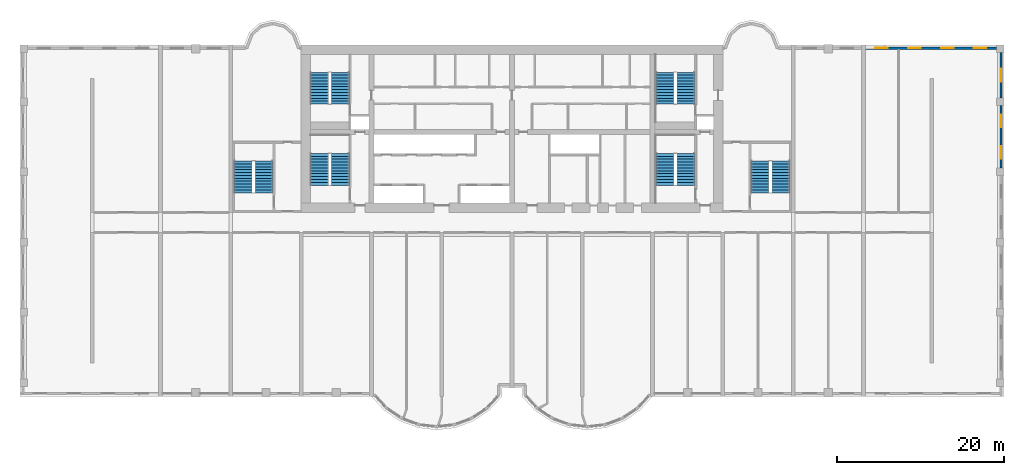
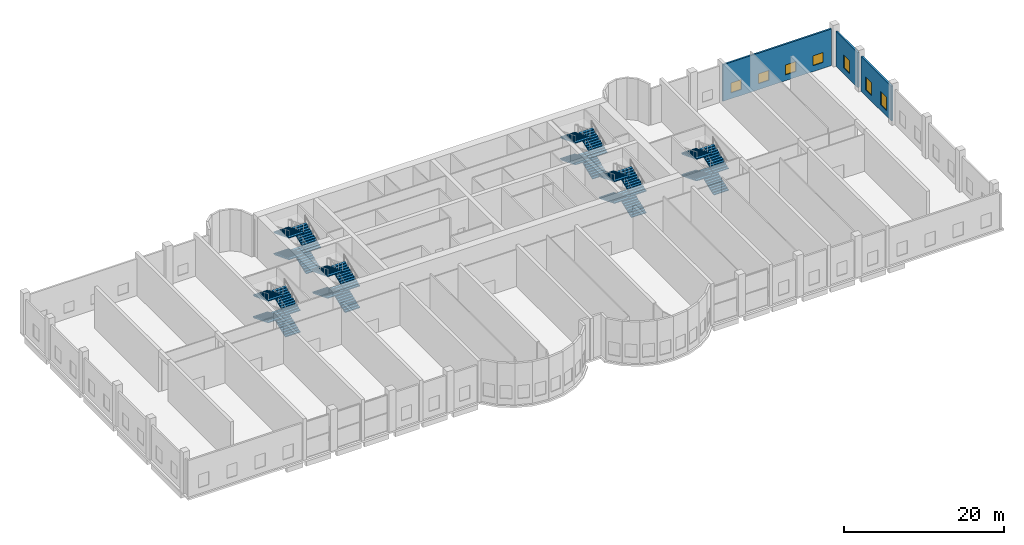
# One storey, part 14 of 15: 24 stair flights, 7 windows, 3 walls, 7 openings, 6 elements without a shape of their own.
"""IFC4 building model written with IfcOpenShell, lengths in metres."""

from ifc_helpers import new_model, si_unit, direction, frame, frame_2d, origin, place, context, subcontext, project, spatial, polyline, rectangle, outline, extrude, source, transform, mapped, material, layer, layer_set, type_object, element, fill, aggregate, save


model = new_model("IFC4")

# Units and contexts
model_context = context("Model", 3, precision=1e-05, world=origin(), true_north=direction((0.0, 1.0)))
body_context = subcontext(model_context, "Body", "Model", "MODEL_VIEW")
ifc_project = project(units=[si_unit("LENGTHUNIT", "METRE"), si_unit("AREAUNIT", "SQUARE_METRE"), si_unit("VOLUMEUNIT", "CUBIC_METRE"), si_unit("PLANEANGLEUNIT", "RADIAN"), si_unit("MASSUNIT", "GRAM", prefix="KILO")], contexts=[model_context])

# Site, building, storey
site_placement = place(None, origin())
site = spatial("IfcSite", under=ifc_project, at=site_placement, CompositionType="ELEMENT")
building_placement = place(site_placement, origin())
building = spatial("IfcBuilding", under=site, at=building_placement, Name="Vanashikhar Sky Hotel", CompositionType="ELEMENT")
storey_placement = place(building_placement, frame((0.0, 0.0, 11.39990234375)))
storey = spatial("IfcBuildingStorey", under=building, at=storey_placement, Name="L02", CompositionType="ELEMENT", Elevation=11.39990234375)

# Wall, openings, windows
ifc_material_1 = material(Name="Concrete M50", Category="concrete")
ifc_layer = layer(ifc_material_1, 0.25)
ifc_layer_set = layer_set([ifc_layer], Name="Rear and end board-marked wall 250")
wall_type = type_object("IfcWallType", Name="Rear and end board-marked wall 250", PredefinedType="SOLIDWALL", material=ifc_layer_set)
shared_shape_1 = source(origin(), body_context, "Body", "SweptSolid", [
    extrude(rectangle(XDim=7.5, YDim=0.25, at=frame_2d((3.75, 0.0))), origin(), (0.0, 0.0, 1.0), 5.320068359375),
])
wall_1_placement = place(storey_placement, frame((108.824951171875, 27.300048828125, 0.0), z_axis=(0.0, 0.0, 1.0), x_axis=(0.0, 1.0, 0.0)))
wall_1 = element("IfcWall", 1, at=wall_1_placement, inside=storey, type_object=wall_type, Name="Podium external wall", PredefinedType="SOLIDWALL", context=body_context, shape_type="MappedRepresentation", body=[
    mapped(shared_shape_1, transform((0.0, 0.0, 0.0), scale=1.0)),
])
shared_shape_2 = source(origin(), body_context, "Body", "SweptSolid", [
    extrude(rectangle(XDim=1.5, YDim=2.0, at=frame_2d((0.75, 1.0))), frame((0.0, 0.135009765625, 0.0), z_axis=(0.0, -1.0, 0.0), x_axis=(1.0, 0.0, 0.0)), (0.0, 0.0, 1.0), 0.27001953125),
])
opening_1_placement = place(wall_1_placement, frame((1.125, 0.0, 0.89990234375)))
opening_1 = element("IfcOpeningElement", 2, at=opening_1_placement, cuts=wall_1, Name="Opening WN-2", PredefinedType="OPENING", context=body_context, shape_type="MappedRepresentation", body=[
    mapped(shared_shape_2, transform((0.0, 0.0, 0.0), scale=1.0)),
])
opening_2_placement = place(wall_1_placement, frame((4.875, 0.0, 0.89990234375)))
opening_2 = element("IfcOpeningElement", 3, at=opening_2_placement, cuts=wall_1, Name="Opening WN-2", PredefinedType="OPENING", context=body_context, shape_type="MappedRepresentation", body=[
    mapped(shared_shape_2, transform((0.0, 0.0, 0.0), scale=1.0)),
])
ifc_material_2 = material(Name="Glass", Category="glass")
window_type_1 = type_object("IfcWindowType", Name="Lobe window 1500 x 2000", PartitioningType="SINGLE_PANEL", PredefinedType="WINDOW", material=ifc_material_2)
shared_shape_3 = source(origin(), body_context, "Body", "SweptSolid", [
    extrude(rectangle(XDim=1.5, YDim=2.0, at=frame_2d((0.75, 1.0))), frame((0.0, 0.030029296875, 0.0), z_axis=(0.0, -1.0, 0.0), x_axis=(1.0, 0.0, 0.0)), (0.0, 0.0, 1.0), 0.06005859375),
])
window_1_placement = place(opening_1_placement, origin())
window_1 = element("IfcWindow", 4, at=window_1_placement, inside=storey, type_object=window_type_1, Name="Window WN-2", OverallHeight=2.0, OverallWidth=1.5, PartitioningType="SINGLE_PANEL", PredefinedType="WINDOW", context=body_context, shape_type="MappedRepresentation", body=[
    mapped(shared_shape_3, transform((0.0, 0.0, 0.0), scale=1.0)),
])
fill(opening_1, window_1)
window_2_placement = place(opening_2_placement, origin())
window_2 = element("IfcWindow", 5, at=window_2_placement, inside=storey, type_object=window_type_1, Name="Window WN-2", OverallHeight=2.0, OverallWidth=1.5, PartitioningType="SINGLE_PANEL", PredefinedType="WINDOW", context=body_context, shape_type="MappedRepresentation", body=[
    mapped(shared_shape_3, transform((0.0, 0.0, 0.0), scale=1.0)),
])
fill(opening_2, window_2)

# Wall, opening, window
shared_shape_4 = source(origin(), body_context, "Body", "SweptSolid", [
    extrude(rectangle(XDim=5.400146484375, YDim=0.25, at=frame_2d((2.7001953125, 0.0))), origin(), (0.0, 0.0, 1.0), 5.320068359375),
])
wall_2_placement = place(storey_placement, frame((108.824951171875, 35.699951171875, 0.0), z_axis=(0.0, 0.0, 1.0), x_axis=(0.0, 1.0, 0.0)))
wall_2 = element("IfcWall", 6, at=wall_2_placement, inside=storey, type_object=wall_type, Name="Podium external wall", PredefinedType="SOLIDWALL", context=body_context, shape_type="MappedRepresentation", body=[
    mapped(shared_shape_4, transform((0.0, 0.0, 0.0), scale=1.0)),
])
opening_3_placement = place(wall_2_placement, frame((1.949951171875, 0.0, 0.89990234375)))
opening_3 = element("IfcOpeningElement", 7, at=opening_3_placement, cuts=wall_2, Name="Opening WN-2", PredefinedType="OPENING", context=body_context, shape_type="MappedRepresentation", body=[
    mapped(shared_shape_2, transform((0.0, 0.0, 0.0), scale=1.0)),
])
window_3_placement = place(opening_3_placement, origin())
window_3 = element("IfcWindow", 8, at=window_3_placement, inside=storey, type_object=window_type_1, Name="Window WN-2", OverallHeight=2.0, OverallWidth=1.5, PartitioningType="SINGLE_PANEL", PredefinedType="WINDOW", context=body_context, shape_type="MappedRepresentation", body=[
    mapped(shared_shape_3, transform((0.0, 0.0, 0.0), scale=1.0)),
])
fill(opening_3, window_3)

# Wall, openings, windows
shared_shape_5 = source(origin(), body_context, "Body", "SweptSolid", [
    extrude(rectangle(XDim=15.675048828125, YDim=0.25, at=frame_2d((7.83740234375, 0.0))), origin(), (0.0, 0.0, 1.0), 5.570068359375),
])
wall_3_placement = place(storey_placement, frame((108.300048828125, 41.625, 0.0), z_axis=(0.0, 0.0, 1.0), x_axis=(-1.0, 0.0, 0.0)))
wall_3 = element("IfcWall", 9, at=wall_3_placement, inside=storey, type_object=wall_type, Name="Podium external wall", PredefinedType="SOLIDWALL", context=body_context, shape_type="MappedRepresentation", body=[
    mapped(shared_shape_5, transform((0.0, 0.0, 0.0), scale=1.0)),
])
shared_shape_6 = source(origin(), body_context, "Body", "SweptSolid", [
    extrude(rectangle(XDim=1.5, YDim=1.5, at=frame_2d((0.75, 0.75))), frame((0.0, 0.135009765625, 0.0), z_axis=(0.0, -1.0, 0.0), x_axis=(1.0, 0.0, 0.0)), (0.0, 0.0, 1.0), 0.27001953125),
])
opening_4_placement = place(wall_3_placement, frame((1.20947265625, 0.0, 0.89990234375)))
opening_4 = element("IfcOpeningElement", 10, at=opening_4_placement, cuts=wall_3, Name="Opening WN-1", PredefinedType="OPENING", context=body_context, shape_type="MappedRepresentation", body=[
    mapped(shared_shape_6, transform((0.0, 0.0, 0.0), scale=1.0)),
])
opening_5_placement = place(wall_3_placement, frame((5.128173828125, 0.0, 0.89990234375)))
opening_5 = element("IfcOpeningElement", 11, at=opening_5_placement, cuts=wall_3, Name="Opening WN-1", PredefinedType="OPENING", context=body_context, shape_type="MappedRepresentation", body=[
    mapped(shared_shape_6, transform((0.0, 0.0, 0.0), scale=1.0)),
])
opening_6_placement = place(wall_3_placement, frame((9.046875, 0.0, 0.89990234375)))
opening_6 = element("IfcOpeningElement", 12, at=opening_6_placement, cuts=wall_3, Name="Opening WN-1", PredefinedType="OPENING", context=body_context, shape_type="MappedRepresentation", body=[
    mapped(shared_shape_6, transform((0.0, 0.0, 0.0), scale=1.0)),
])
opening_7_placement = place(wall_3_placement, frame((12.965576171875, 0.0, 0.89990234375)))
opening_7 = element("IfcOpeningElement", 13, at=opening_7_placement, cuts=wall_3, Name="Opening WN-1", PredefinedType="OPENING", context=body_context, shape_type="MappedRepresentation", body=[
    mapped(shared_shape_6, transform((0.0, 0.0, 0.0), scale=1.0)),
])
window_type_2 = type_object("IfcWindowType", Name="Window 1500 x 1500", PartitioningType="SINGLE_PANEL", PredefinedType="WINDOW", material=ifc_material_2)
shared_shape_7 = source(origin(), body_context, "Body", "SweptSolid", [
    extrude(rectangle(XDim=1.5, YDim=1.5, at=frame_2d((0.75, 0.75))), frame((0.0, 0.030029296875, 0.0), z_axis=(0.0, -1.0, 0.0), x_axis=(1.0, 0.0, 0.0)), (0.0, 0.0, 1.0), 0.06005859375),
])
window_4_placement = place(opening_4_placement, origin())
window_4 = element("IfcWindow", 14, at=window_4_placement, inside=storey, type_object=window_type_2, Name="Window WN-1", OverallHeight=1.5, OverallWidth=1.5, PartitioningType="SINGLE_PANEL", PredefinedType="WINDOW", context=body_context, shape_type="MappedRepresentation", body=[
    mapped(shared_shape_7, transform((0.0, 0.0, 0.0), scale=1.0)),
])
fill(opening_4, window_4)
window_5_placement = place(opening_5_placement, origin())
window_5 = element("IfcWindow", 15, at=window_5_placement, inside=storey, type_object=window_type_2, Name="Window WN-1", OverallHeight=1.5, OverallWidth=1.5, PartitioningType="SINGLE_PANEL", PredefinedType="WINDOW", context=body_context, shape_type="MappedRepresentation", body=[
    mapped(shared_shape_7, transform((0.0, 0.0, 0.0), scale=1.0)),
])
fill(opening_5, window_5)
window_6_placement = place(opening_6_placement, origin())
window_6 = element("IfcWindow", 16, at=window_6_placement, inside=storey, type_object=window_type_2, Name="Window WN-1", OverallHeight=1.5, OverallWidth=1.5, PartitioningType="SINGLE_PANEL", PredefinedType="WINDOW", context=body_context, shape_type="MappedRepresentation", body=[
    mapped(shared_shape_7, transform((0.0, 0.0, 0.0), scale=1.0)),
])
fill(opening_6, window_6)
window_7_placement = place(opening_7_placement, origin())
window_7 = element("IfcWindow", 17, at=window_7_placement, inside=storey, type_object=window_type_2, Name="Window WN-1", OverallHeight=1.5, OverallWidth=1.5, PartitioningType="SINGLE_PANEL", PredefinedType="WINDOW", context=body_context, shape_type="MappedRepresentation", body=[
    mapped(shared_shape_7, transform((0.0, 0.0, 0.0), scale=1.0)),
])
fill(opening_7, window_7)

# Stair, stair flights
ifc_material_3 = material(Name="Concrete M40", Category="concrete")
stair_type = type_object("IfcStairType", Name="Exit stair 2150", PredefinedType="DOUBLE_RETURN_STAIR", material=ifc_material_3)
stair_1_placement = place(storey_placement, origin())
stair_1 = element("IfcStair", 18, at=stair_1_placement, inside=storey, type_object=stair_type, Name="L02 Exit stair 1", PredefinedType="DOUBLE_RETURN_STAIR")
stair_flight_type = type_object("IfcStairFlightType", Name="Stair flight 2150", PredefinedType="STRAIGHT", material=ifc_material_3)
shared_shape_8 = source(origin(), body_context, "Body", "SweptSolid", [
    extrude(outline(polyline([(0.0, 0.0), (0.0, 0.137451171875), (0.345458984375, 0.137451171875), (0.345458984375, 0.27490234375), (0.69091796875, 0.27490234375), (0.69091796875, 0.41259765625), (1.036376953125, 0.41259765625), (1.036376953125, 0.550048828125), (1.3818359375, 0.550048828125), (1.3818359375, 0.6875), (1.727294921875, 0.6875), (1.727294921875, 0.824951171875), (2.07275390625, 0.824951171875), (2.07275390625, 0.96240234375), (2.418212890625, 0.96240234375), (2.418212890625, 1.10009765625), (2.763671875, 1.10009765625), (2.763671875, 1.237548828125), (3.109130859375, 1.237548828125), (3.109130859375, 1.375), (3.45458984375, 1.375), (3.45458984375, 1.512451171875), (3.800048828125, 1.512451171875), (3.800048828125, 1.64990234375), (3.800048828125, 1.38330078125), (0.32470703125, 0.0), (0.0, 0.0)])), frame((0.0, 1.074951171875, 0.0), z_axis=(0.0, -1.0, 0.0), x_axis=(1.0, 0.0, 0.0)), (0.0, 0.0, 1.0), 2.14990234375),
])
stair_flight_1_placement = place(storey_placement, frame((29.875, 25.25, 0.0), z_axis=(0.0, 0.0, 1.0), x_axis=(0.0, 1.0, 0.0)))
stair_flight_1 = element("IfcStairFlight", 19, at=stair_flight_1_placement, type_object=stair_flight_type, Name="ST-C1 flight 1", NumberOfRisers=12, NumberOfTreads=11, PredefinedType="STRAIGHT", RiserHeight=0.1375, TreadLength=0.345454545, context=body_context, shape_type="MappedRepresentation", body=[
    mapped(shared_shape_8, transform((0.0, 0.0, 0.0), scale=1.0)),
])
stair_flight_2_placement = place(storey_placement, frame((27.375, 29.050048828125, 1.650146484375), z_axis=(0.0, 0.0, 1.0), x_axis=(0.0, -1.0, 0.0)))
stair_flight_2 = element("IfcStairFlight", 20, at=stair_flight_2_placement, type_object=stair_flight_type, Name="ST-C1 flight 2", NumberOfRisers=12, NumberOfTreads=11, PredefinedType="STRAIGHT", RiserHeight=0.1375, TreadLength=0.345454545, context=body_context, shape_type="MappedRepresentation", body=[
    mapped(shared_shape_8, transform((0.0, 0.0, 0.0), scale=1.0)),
])
stair_flight_3_placement = place(storey_placement, frame((29.875, 25.25, 3.300048828125), z_axis=(0.0, 0.0, 1.0), x_axis=(0.0, 1.0, 0.0)))
stair_flight_3 = element("IfcStairFlight", 21, at=stair_flight_3_placement, type_object=stair_flight_type, Name="ST-C1 flight 3", NumberOfRisers=12, NumberOfTreads=11, PredefinedType="STRAIGHT", RiserHeight=0.1375, TreadLength=0.345454545, context=body_context, shape_type="MappedRepresentation", body=[
    mapped(shared_shape_8, transform((0.0, 0.0, 0.0), scale=1.0)),
])
stair_flight_4_placement = place(storey_placement, frame((27.375, 29.050048828125, 4.9501953125), z_axis=(0.0, 0.0, 1.0), x_axis=(0.0, -1.0, 0.0)))
stair_flight_4 = element("IfcStairFlight", 22, at=stair_flight_4_placement, type_object=stair_flight_type, Name="ST-C1 flight 4", NumberOfRisers=12, NumberOfTreads=11, PredefinedType="STRAIGHT", RiserHeight=0.1375, TreadLength=0.345454545, context=body_context, shape_type="MappedRepresentation", body=[
    mapped(shared_shape_8, transform((0.0, 0.0, 0.0), scale=1.0)),
])
aggregate(stair_1, [stair_flight_1, stair_flight_2, stair_flight_3, stair_flight_4])

stair_2_placement = place(storey_placement, origin())
stair_2 = element("IfcStair", 23, at=stair_2_placement, inside=storey, type_object=stair_type, Name="L02 Exit stair 2", PredefinedType="DOUBLE_RETURN_STAIR")
stair_flight_5_placement = place(storey_placement, frame((71.175048828125, 25.25, 0.0), z_axis=(0.0, 0.0, 1.0), x_axis=(0.0, 1.0, 0.0)))
stair_flight_5 = element("IfcStairFlight", 24, at=stair_flight_5_placement, type_object=stair_flight_type, Name="ST-C2 flight 1", NumberOfRisers=12, NumberOfTreads=11, PredefinedType="STRAIGHT", RiserHeight=0.1375, TreadLength=0.345454545, context=body_context, shape_type="MappedRepresentation", body=[
    mapped(shared_shape_8, transform((0.0, 0.0, 0.0), scale=1.0)),
])
stair_flight_6_placement = place(storey_placement, frame((68.675048828125, 29.050048828125, 1.650146484375), z_axis=(0.0, 0.0, 1.0), x_axis=(0.0, -1.0, 0.0)))
stair_flight_6 = element("IfcStairFlight", 25, at=stair_flight_6_placement, type_object=stair_flight_type, Name="ST-C2 flight 2", NumberOfRisers=12, NumberOfTreads=11, PredefinedType="STRAIGHT", RiserHeight=0.1375, TreadLength=0.345454545, context=body_context, shape_type="MappedRepresentation", body=[
    mapped(shared_shape_8, transform((0.0, 0.0, 0.0), scale=1.0)),
])
stair_flight_7_placement = place(storey_placement, frame((71.175048828125, 25.25, 3.300048828125), z_axis=(0.0, 0.0, 1.0), x_axis=(0.0, 1.0, 0.0)))
stair_flight_7 = element("IfcStairFlight", 26, at=stair_flight_7_placement, type_object=stair_flight_type, Name="ST-C2 flight 3", NumberOfRisers=12, NumberOfTreads=11, PredefinedType="STRAIGHT", RiserHeight=0.1375, TreadLength=0.345454545, context=body_context, shape_type="MappedRepresentation", body=[
    mapped(shared_shape_8, transform((0.0, 0.0, 0.0), scale=1.0)),
])
stair_flight_8_placement = place(storey_placement, frame((68.675048828125, 29.050048828125, 4.9501953125), z_axis=(0.0, 0.0, 1.0), x_axis=(0.0, -1.0, 0.0)))
stair_flight_8 = element("IfcStairFlight", 27, at=stair_flight_8_placement, type_object=stair_flight_type, Name="ST-C2 flight 4", NumberOfRisers=12, NumberOfTreads=11, PredefinedType="STRAIGHT", RiserHeight=0.1375, TreadLength=0.345454545, context=body_context, shape_type="MappedRepresentation", body=[
    mapped(shared_shape_8, transform((0.0, 0.0, 0.0), scale=1.0)),
])
aggregate(stair_2, [stair_flight_5, stair_flight_6, stair_flight_7, stair_flight_8])

stair_3_placement = place(storey_placement, origin())
stair_3 = element("IfcStair", 28, at=stair_3_placement, inside=storey, type_object=stair_type, Name="L02 Exit stair 3", PredefinedType="DOUBLE_RETURN_STAIR")
stair_flight_9_placement = place(storey_placement, frame((20.77490234375, 24.35009765625, 0.0), z_axis=(0.0, 0.0, 1.0), x_axis=(0.0, 1.0, 0.0)))
stair_flight_9 = element("IfcStairFlight", 29, at=stair_flight_9_placement, type_object=stair_flight_type, Name="ST-W flight 1", NumberOfRisers=12, NumberOfTreads=11, PredefinedType="STRAIGHT", RiserHeight=0.1375, TreadLength=0.345454545, context=body_context, shape_type="MappedRepresentation", body=[
    mapped(shared_shape_8, transform((0.0, 0.0, 0.0), scale=1.0)),
])
stair_flight_10_placement = place(storey_placement, frame((18.27490234375, 28.14990234375, 1.650146484375), z_axis=(0.0, 0.0, 1.0), x_axis=(0.0, -1.0, 0.0)))
stair_flight_10 = element("IfcStairFlight", 30, at=stair_flight_10_placement, type_object=stair_flight_type, Name="ST-W flight 2", NumberOfRisers=12, NumberOfTreads=11, PredefinedType="STRAIGHT", RiserHeight=0.1375, TreadLength=0.345454545, context=body_context, shape_type="MappedRepresentation", body=[
    mapped(shared_shape_8, transform((0.0, 0.0, 0.0), scale=1.0)),
])
stair_flight_11_placement = place(storey_placement, frame((20.77490234375, 24.35009765625, 3.300048828125), z_axis=(0.0, 0.0, 1.0), x_axis=(0.0, 1.0, 0.0)))
stair_flight_11 = element("IfcStairFlight", 31, at=stair_flight_11_placement, type_object=stair_flight_type, Name="ST-W flight 3", NumberOfRisers=12, NumberOfTreads=11, PredefinedType="STRAIGHT", RiserHeight=0.1375, TreadLength=0.345454545, context=body_context, shape_type="MappedRepresentation", body=[
    mapped(shared_shape_8, transform((0.0, 0.0, 0.0), scale=1.0)),
])
stair_flight_12_placement = place(storey_placement, frame((18.27490234375, 28.14990234375, 4.9501953125), z_axis=(0.0, 0.0, 1.0), x_axis=(0.0, -1.0, 0.0)))
stair_flight_12 = element("IfcStairFlight", 32, at=stair_flight_12_placement, type_object=stair_flight_type, Name="ST-W flight 4", NumberOfRisers=12, NumberOfTreads=11, PredefinedType="STRAIGHT", RiserHeight=0.1375, TreadLength=0.345454545, context=body_context, shape_type="MappedRepresentation", body=[
    mapped(shared_shape_8, transform((0.0, 0.0, 0.0), scale=1.0)),
])
aggregate(stair_3, [stair_flight_9, stair_flight_10, stair_flight_11, stair_flight_12])

stair_4_placement = place(storey_placement, origin())
stair_4 = element("IfcStair", 33, at=stair_4_placement, inside=storey, type_object=stair_type, Name="L02 Exit stair 4", PredefinedType="DOUBLE_RETURN_STAIR")
stair_flight_13_placement = place(storey_placement, frame((82.52490234375, 24.35009765625, 0.0), z_axis=(0.0, 0.0, 1.0), x_axis=(0.0, 1.0, 0.0)))
stair_flight_13 = element("IfcStairFlight", 34, at=stair_flight_13_placement, type_object=stair_flight_type, Name="ST-E flight 1", NumberOfRisers=12, NumberOfTreads=11, PredefinedType="STRAIGHT", RiserHeight=0.1375, TreadLength=0.345454545, context=body_context, shape_type="MappedRepresentation", body=[
    mapped(shared_shape_8, transform((0.0, 0.0, 0.0), scale=1.0)),
])
stair_flight_14_placement = place(storey_placement, frame((80.02490234375, 28.14990234375, 1.650146484375), z_axis=(0.0, 0.0, 1.0), x_axis=(0.0, -1.0, 0.0)))
stair_flight_14 = element("IfcStairFlight", 35, at=stair_flight_14_placement, type_object=stair_flight_type, Name="ST-E flight 2", NumberOfRisers=12, NumberOfTreads=11, PredefinedType="STRAIGHT", RiserHeight=0.1375, TreadLength=0.345454545, context=body_context, shape_type="MappedRepresentation", body=[
    mapped(shared_shape_8, transform((0.0, 0.0, 0.0), scale=1.0)),
])
stair_flight_15_placement = place(storey_placement, frame((82.52490234375, 24.35009765625, 3.300048828125), z_axis=(0.0, 0.0, 1.0), x_axis=(0.0, 1.0, 0.0)))
stair_flight_15 = element("IfcStairFlight", 36, at=stair_flight_15_placement, type_object=stair_flight_type, Name="ST-E flight 3", NumberOfRisers=12, NumberOfTreads=11, PredefinedType="STRAIGHT", RiserHeight=0.1375, TreadLength=0.345454545, context=body_context, shape_type="MappedRepresentation", body=[
    mapped(shared_shape_8, transform((0.0, 0.0, 0.0), scale=1.0)),
])
stair_flight_16_placement = place(storey_placement, frame((80.02490234375, 28.14990234375, 4.9501953125), z_axis=(0.0, 0.0, 1.0), x_axis=(0.0, -1.0, 0.0)))
stair_flight_16 = element("IfcStairFlight", 37, at=stair_flight_16_placement, type_object=stair_flight_type, Name="ST-E flight 4", NumberOfRisers=12, NumberOfTreads=11, PredefinedType="STRAIGHT", RiserHeight=0.1375, TreadLength=0.345454545, context=body_context, shape_type="MappedRepresentation", body=[
    mapped(shared_shape_8, transform((0.0, 0.0, 0.0), scale=1.0)),
])
aggregate(stair_4, [stair_flight_13, stair_flight_14, stair_flight_15, stair_flight_16])

stair_5_placement = place(storey_placement, origin())
stair_5 = element("IfcStair", 38, at=stair_5_placement, inside=storey, type_object=stair_type, Name="L02 Exit stair 5", PredefinedType="DOUBLE_RETURN_STAIR")
stair_flight_17_placement = place(storey_placement, frame((29.875, 34.949951171875, 0.0), z_axis=(0.0, 0.0, 1.0), x_axis=(0.0, 1.0, 0.0)))
stair_flight_17 = element("IfcStairFlight", 39, at=stair_flight_17_placement, type_object=stair_flight_type, Name="ST-C3 flight 1", NumberOfRisers=12, NumberOfTreads=11, PredefinedType="STRAIGHT", RiserHeight=0.1375, TreadLength=0.345454545, context=body_context, shape_type="MappedRepresentation", body=[
    mapped(shared_shape_8, transform((0.0, 0.0, 0.0), scale=1.0)),
])
stair_flight_18_placement = place(storey_placement, frame((27.375, 38.75, 1.650146484375), z_axis=(0.0, 0.0, 1.0), x_axis=(0.0, -1.0, 0.0)))
stair_flight_18 = element("IfcStairFlight", 40, at=stair_flight_18_placement, type_object=stair_flight_type, Name="ST-C3 flight 2", NumberOfRisers=12, NumberOfTreads=11, PredefinedType="STRAIGHT", RiserHeight=0.1375, TreadLength=0.345454545, context=body_context, shape_type="MappedRepresentation", body=[
    mapped(shared_shape_8, transform((0.0, 0.0, 0.0), scale=1.0)),
])
stair_flight_19_placement = place(storey_placement, frame((29.875, 34.949951171875, 3.300048828125), z_axis=(0.0, 0.0, 1.0), x_axis=(0.0, 1.0, 0.0)))
stair_flight_19 = element("IfcStairFlight", 41, at=stair_flight_19_placement, type_object=stair_flight_type, Name="ST-C3 flight 3", NumberOfRisers=12, NumberOfTreads=11, PredefinedType="STRAIGHT", RiserHeight=0.1375, TreadLength=0.345454545, context=body_context, shape_type="MappedRepresentation", body=[
    mapped(shared_shape_8, transform((0.0, 0.0, 0.0), scale=1.0)),
])
stair_flight_20_placement = place(storey_placement, frame((27.375, 38.75, 4.9501953125), z_axis=(0.0, 0.0, 1.0), x_axis=(0.0, -1.0, 0.0)))
stair_flight_20 = element("IfcStairFlight", 42, at=stair_flight_20_placement, type_object=stair_flight_type, Name="ST-C3 flight 4", NumberOfRisers=12, NumberOfTreads=11, PredefinedType="STRAIGHT", RiserHeight=0.1375, TreadLength=0.345454545, context=body_context, shape_type="MappedRepresentation", body=[
    mapped(shared_shape_8, transform((0.0, 0.0, 0.0), scale=1.0)),
])
aggregate(stair_5, [stair_flight_17, stair_flight_18, stair_flight_19, stair_flight_20])

stair_6_placement = place(storey_placement, origin())
stair_6 = element("IfcStair", 43, at=stair_6_placement, inside=storey, type_object=stair_type, Name="L02 Exit stair 6", PredefinedType="DOUBLE_RETURN_STAIR")
stair_flight_21_placement = place(storey_placement, frame((71.175048828125, 34.949951171875, 0.0), z_axis=(0.0, 0.0, 1.0), x_axis=(0.0, 1.0, 0.0)))
stair_flight_21 = element("IfcStairFlight", 44, at=stair_flight_21_placement, type_object=stair_flight_type, Name="ST-C4 flight 1", NumberOfRisers=12, NumberOfTreads=11, PredefinedType="STRAIGHT", RiserHeight=0.1375, TreadLength=0.345454545, context=body_context, shape_type="MappedRepresentation", body=[
    mapped(shared_shape_8, transform((0.0, 0.0, 0.0), scale=1.0)),
])
stair_flight_22_placement = place(storey_placement, frame((68.675048828125, 38.75, 1.650146484375), z_axis=(0.0, 0.0, 1.0), x_axis=(0.0, -1.0, 0.0)))
stair_flight_22 = element("IfcStairFlight", 45, at=stair_flight_22_placement, type_object=stair_flight_type, Name="ST-C4 flight 2", NumberOfRisers=12, NumberOfTreads=11, PredefinedType="STRAIGHT", RiserHeight=0.1375, TreadLength=0.345454545, context=body_context, shape_type="MappedRepresentation", body=[
    mapped(shared_shape_8, transform((0.0, 0.0, 0.0), scale=1.0)),
])
stair_flight_23_placement = place(storey_placement, frame((71.175048828125, 34.949951171875, 3.300048828125), z_axis=(0.0, 0.0, 1.0), x_axis=(0.0, 1.0, 0.0)))
stair_flight_23 = element("IfcStairFlight", 46, at=stair_flight_23_placement, type_object=stair_flight_type, Name="ST-C4 flight 3", NumberOfRisers=12, NumberOfTreads=11, PredefinedType="STRAIGHT", RiserHeight=0.1375, TreadLength=0.345454545, context=body_context, shape_type="MappedRepresentation", body=[
    mapped(shared_shape_8, transform((0.0, 0.0, 0.0), scale=1.0)),
])
stair_flight_24_placement = place(storey_placement, frame((68.675048828125, 38.75, 4.9501953125), z_axis=(0.0, 0.0, 1.0), x_axis=(0.0, -1.0, 0.0)))
stair_flight_24 = element("IfcStairFlight", 47, at=stair_flight_24_placement, type_object=stair_flight_type, Name="ST-C4 flight 4", NumberOfRisers=12, NumberOfTreads=11, PredefinedType="STRAIGHT", RiserHeight=0.1375, TreadLength=0.345454545, context=body_context, shape_type="MappedRepresentation", body=[
    mapped(shared_shape_8, transform((0.0, 0.0, 0.0), scale=1.0)),
])
aggregate(stair_6, [stair_flight_21, stair_flight_22, stair_flight_23, stair_flight_24])

save(model, "model.ifc")
